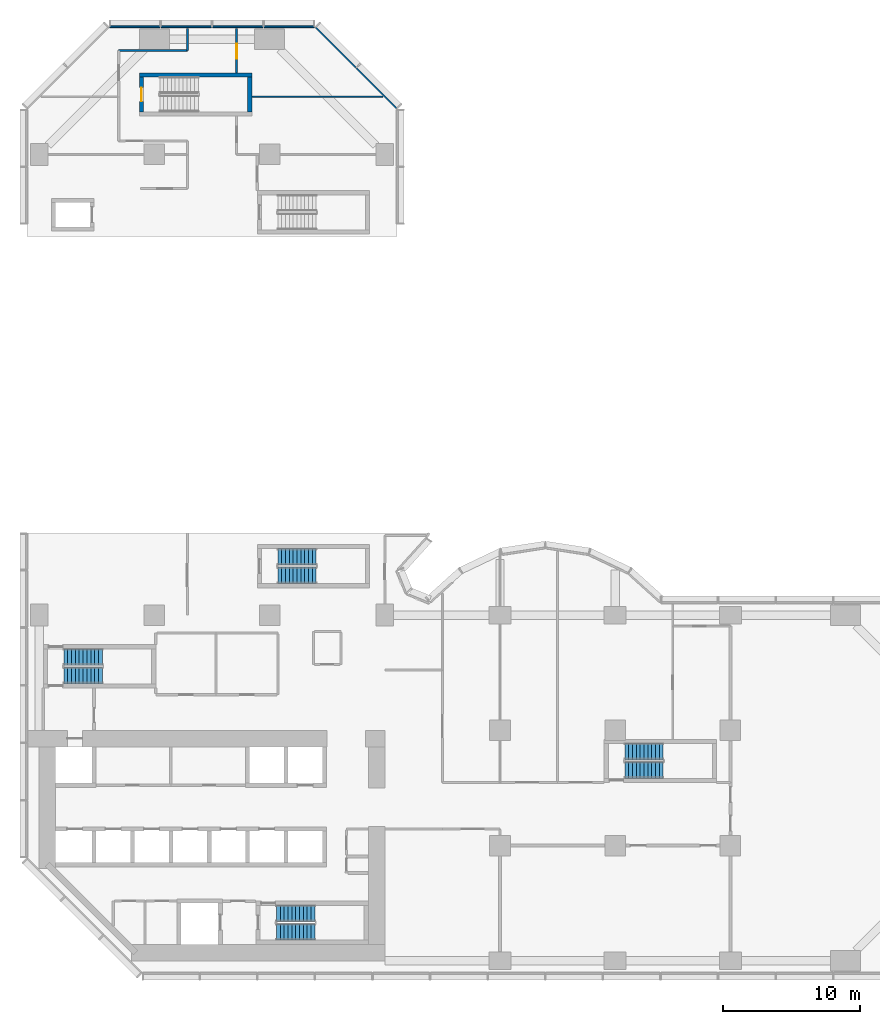
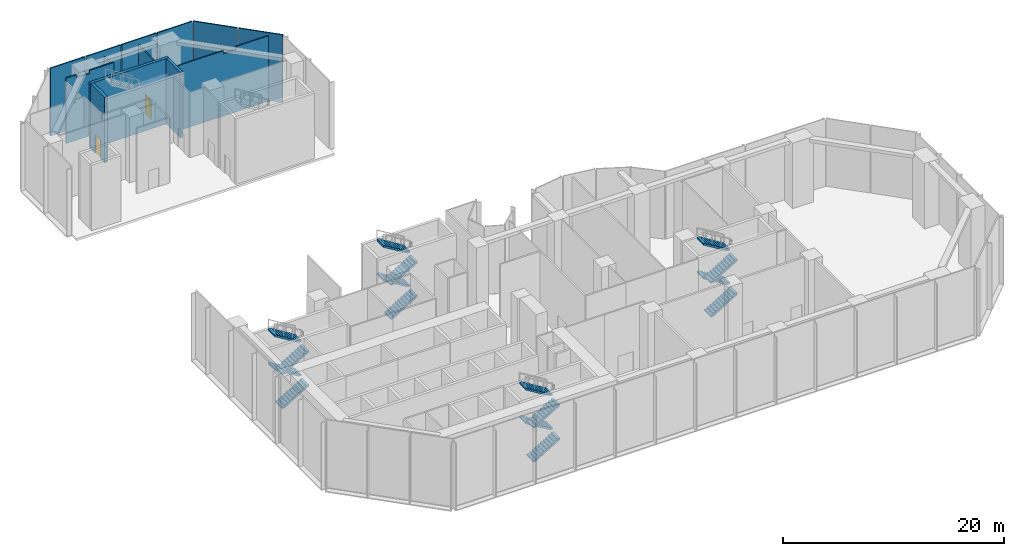
# One storey, part 12 of 16: 16 stair flights, 13 walls, 2 doors, 2 openings, 4 elements without a shape of their own.
"""IFC4 building model written with IfcOpenShell, lengths in metres."""

from ifc_helpers import new_model, si_unit, direction, frame, frame_2d, origin, place, context, subcontext, project, spatial, polyline, rectangle, outline, extrude, material, layer, layer_set, type_object, element, fill, aggregate, save


model = new_model("IFC4")

# Units and contexts
model_context = context("Model", 3, precision=1e-05, world=origin(), true_north=direction((0.0, 1.0)))
body_context = subcontext(model_context, "Body", "Model", "MODEL_VIEW")
ifc_project = project(units=[si_unit("LENGTHUNIT", "METRE"), si_unit("AREAUNIT", "SQUARE_METRE"), si_unit("VOLUMEUNIT", "CUBIC_METRE"), si_unit("PLANEANGLEUNIT", "RADIAN"), si_unit("MASSUNIT", "GRAM", prefix="KILO")], contexts=[model_context])

# Site, building, storey
site_placement = place(None, origin())
site = spatial("IfcSite", under=ifc_project, at=site_placement, CompositionType="ELEMENT")
building_placement = place(site_placement, origin())
building = spatial("IfcBuilding", under=site, at=building_placement, Name="Brevane Broadcast Tower", CompositionType="ELEMENT")
storey_placement = place(building_placement, frame((0.0, 0.0, 12.5)))
storey = spatial("IfcBuildingStorey", under=building, at=storey_placement, Name="L02", CompositionType="ELEMENT", Elevation=12.5)

# Wall
ifc_material_1 = material(Name="Concrete C80/95", Category="concrete")
ifc_layer_1 = layer(ifc_material_1, 0.300048828125)
ifc_layer_set_1 = layer_set([ifc_layer_1], Name="Core wall 300 mm C80/95")
wall_type_1 = type_object("IfcWallType", Name="Core wall 300 mm C80/95", PredefinedType="SHEAR", material=ifc_layer_set_1)
wall_1_placement = place(storey_placement, frame((7.300048828125, 64.60009765625, 0.0), z_axis=(0.0, 0.0, 1.0), x_axis=(1.0, 0.0, 0.0)))
element("IfcWall", 1, at=wall_1_placement, inside=storey, type_object=wall_type_1, Name="L02 stair wall ST-6-N", PredefinedType="SHEAR", context=body_context, shape_type="SweptSolid", body=[
    extrude(rectangle(XDim=8.199951171875, YDim=0.300048828125, at=frame_2d((4.10009765625, 0.0))), origin(), (0.0, 0.0, 1.0), 7.25),
])

# Wall, opening, door
wall_2_placement = place(storey_placement, frame((7.449951171875, 61.89990234375, 0.0), z_axis=(0.0, 0.0, 1.0), x_axis=(0.0, 1.0, 0.0)))
wall_2 = element("IfcWall", 2, at=wall_2_placement, inside=storey, type_object=wall_type_1, Name="L02 stair wall ST-6-W", PredefinedType="SHEAR", context=body_context, shape_type="SweptSolid", body=[
    extrude(rectangle(XDim=2.550048828125, YDim=0.300048828125, at=frame_2d((1.27490234375, 0.0))), origin(), (0.0, 0.0, 1.0), 7.25),
])
opening_1_placement = place(wall_2_placement, frame((0.77490234375, 0.0, 0.0)))
opening_1 = element("IfcOpeningElement", 3, at=opening_1_placement, cuts=wall_2, Name="Opening L02-K18", PredefinedType="OPENING", context=body_context, shape_type="SweptSolid", body=[
    extrude(rectangle(XDim=1.0, YDim=2.10009765625, at=frame_2d((0.5, 1.050048828125))), frame((0.0, 0.159912109375, 0.0), z_axis=(0.0, -1.0, 0.0), x_axis=(1.0, 0.0, 0.0)), (0.0, 0.0, 1.0), 0.320068359375),
])
ifc_material_2 = material(Name="Steel", Category="steel")
door_type_1 = type_object("IfcDoorType", Name="Stair door 1000 x 2100", OperationType="SINGLE_SWING_LEFT", PredefinedType="DOOR", material=ifc_material_2)
door_1_placement = place(opening_1_placement, origin())
door_1 = element("IfcDoor", 4, at=door_1_placement, inside=storey, type_object=door_type_1, Name="Door L02-K18", OperationType="SINGLE_SWING_RIGHT", OverallHeight=2.10009765625, OverallWidth=1.0, PredefinedType="DOOR", context=body_context, shape_type="SweptSolid", body=[
    extrude(rectangle(XDim=1.0, YDim=2.10009765625, at=frame_2d((0.5, 1.050048828125))), frame((0.0, 0.02490234375, 0.0), z_axis=(0.0, -1.0, 0.0), x_axis=(1.0, 0.0, 0.0)), (0.0, 0.0, 1.0), 0.050048828125),
])
fill(opening_1, door_1)

# Walls
wall_3_placement = place(storey_placement, frame((15.35009765625, 61.89990234375, 0.0), z_axis=(0.0, 0.0, 1.0), x_axis=(0.0, 1.0, 0.0)))
element("IfcWall", 5, at=wall_3_placement, inside=storey, type_object=wall_type_1, Name="L02 stair wall ST-6-E", PredefinedType="SHEAR", context=body_context, shape_type="SweptSolid", body=[
    extrude(rectangle(XDim=2.550048828125, YDim=0.300048828125, at=frame_2d((1.27490234375, 0.0))), origin(), (0.0, 0.0, 1.0), 7.25),
])
ifc_material_3 = material(Name="Gypsum board partition")
ifc_layer_2 = layer(ifc_material_3, 0.10009765625)
ifc_layer_set_2 = layer_set([ifc_layer_2], Name="PARTITION 100 STUD")
wall_type_2 = type_object("IfcWallType", Name="PARTITION 100 STUD", PredefinedType="PARTITIONING", material=ifc_layer_set_2)
wall_4_placement = place(storey_placement, frame((15.5, 63.0, 0.0), z_axis=(0.0, 0.0, 1.0), x_axis=(1.0, 0.0, 0.0)))
element("IfcWall", 6, at=wall_4_placement, inside=storey, type_object=wall_type_2, Name="Partition P2-044", PredefinedType="PARTITIONING", context=body_context, shape_type="SweptSolid", body=[
    extrude(outline(polyline([(0.0, 0.0), (9.5556640625, 0.0), (9.5556640625, 7.22998046875), (6.165771484375, 7.22998046875), (6.16357421875, 6.8798828125), (4.83642578125, 6.8798828125), (4.834228515625, 7.22998046875), (0.0, 7.22998046875), (0.0, 0.0)])), frame((0.0, 0.050048828125, 0.0), z_axis=(0.0, -1.0, 0.0), x_axis=(1.0, 0.0, 0.0)), (0.0, 0.0, 1.0), 0.10009765625),
])
ifc_layer_3 = layer(ifc_material_3, 0.14990234375)
ifc_layer_set_3 = layer_set([ifc_layer_3], Name="PARTITION 150 EI 60")
wall_type_3 = type_object("IfcWallType", Name="PARTITION 150 EI 60", PredefinedType="PARTITIONING", material=ifc_layer_set_3)
wall_5_placement = place(storey_placement, frame((5.800048828125, 66.375, 0.0), z_axis=(0.0, 0.0, 1.0), x_axis=(1.0, 0.0, 0.0)))
element("IfcWall", 7, at=wall_5_placement, inside=storey, type_object=wall_type_3, Name="Partition P2-034", PredefinedType="PARTITIONING", context=body_context, shape_type="SweptSolid", body=[
    extrude(outline(polyline([(0.0, 0.0), (5.0, 0.0), (5.0, 7.22998046875), (2.465576171875, 7.22998046875), (2.463623046875, 6.8798828125), (1.08642578125, 6.8798828125), (1.084228515625, 7.22998046875), (0.0, 7.22998046875), (0.0, 0.0)])), frame((0.0, 0.074951171875, 0.0), z_axis=(0.0, -1.0, 0.0), x_axis=(1.0, 0.0, 0.0)), (0.0, 0.0, 1.0), 0.14990234375),
])
wall_6_placement = place(storey_placement, frame((10.800048828125, 66.375, 0.0), z_axis=(0.0, 0.0, 1.0), x_axis=(0.0, 1.0, 0.0)))
element("IfcWall", 8, at=wall_6_placement, inside=storey, type_object=wall_type_3, Name="Partition P2-036", PredefinedType="PARTITIONING", context=body_context, shape_type="SweptSolid", body=[
    extrude(rectangle(XDim=1.597900390625, YDim=0.14990234375, at=frame_2d((0.798828125, 0.0))), origin(), (0.0, 0.0, 1.0), 6.8798828125),
])

# Wall, opening, door
wall_7_placement = place(storey_placement, frame((14.39990234375, 67.972900390625, 0.0), z_axis=(0.0, 0.0, 1.0), x_axis=(0.0, -1.0, 0.0)))
wall_7 = element("IfcWall", 9, at=wall_7_placement, inside=storey, type_object=wall_type_3, Name="Partition P2-037", PredefinedType="PARTITIONING", context=body_context, shape_type="SweptSolid", body=[
    extrude(rectangle(XDim=3.222900390625, YDim=0.14990234375, at=frame_2d((1.611328125, 0.0))), origin(), (0.0, 0.0, 1.0), 6.8798828125),
])
opening_2_placement = place(wall_7_placement, frame((1.093017578125, 0.0, 0.0)))
opening_2 = element("IfcOpeningElement", 10, at=opening_2_placement, cuts=wall_7, Name="Opening D03-016", PredefinedType="OPENING", context=body_context, shape_type="SweptSolid", body=[
    extrude(rectangle(XDim=1.10009765625, YDim=2.10009765625, at=frame_2d((0.550048828125, 1.050048828125))), frame((0.0, 0.0849609375, 0.0), z_axis=(0.0, -1.0, 0.0), x_axis=(1.0, 0.0, 0.0)), (0.0, 0.0, 1.0), 0.169921875),
])
ifc_material_4 = material(Name="Fire-rated timber door leaf", Category="wood")
door_type_2 = type_object("IfcDoorType", Name="DOOR SINGLE 1100 FD30S", OperationType="SINGLE_SWING_LEFT", PredefinedType="DOOR", material=ifc_material_4)
door_2_placement = place(opening_2_placement, origin())
door_2 = element("IfcDoor", 11, at=door_2_placement, inside=storey, type_object=door_type_2, Name="Door D03-016", OperationType="SINGLE_SWING_LEFT", OverallHeight=2.10009765625, OverallWidth=1.10009765625, PredefinedType="DOOR", context=body_context, shape_type="SweptSolid", body=[
    extrude(rectangle(XDim=1.10009765625, YDim=2.10009765625, at=frame_2d((0.550048828125, 1.050048828125))), frame((0.0, 0.02490234375, 0.0), z_axis=(0.0, -1.0, 0.0), x_axis=(1.0, 0.0, 0.0)), (0.0, 0.0, 1.0), 0.050048828125),
])
fill(opening_2, door_2)

# Walls
ifc_material_5 = material(Name="Precast concrete C40/50", Category="concrete")
ifc_layer_4 = layer(ifc_material_5, 0.1201171875)
ifc_layer_set_4 = layer_set([ifc_layer_4], Name="Podium precast cladding wall 120 C40/50")
wall_type_4 = type_object("IfcWallType", Name="Podium precast cladding wall 120 C40/50", PredefinedType="SOLIDWALL", material=ifc_layer_set_4)
wall_8_placement = place(storey_placement, origin())
element("IfcWall", 12, at=wall_8_placement, inside=storey, type_object=wall_type_4, Name="Podium precast cladding wall", PredefinedType="SOLIDWALL", context=body_context, shape_type="SweptSolid", body=[
    extrude(outline(polyline([(26.03271484375, 62.096435546875), (23.096435546875, 65.03271484375), (23.181396484375, 65.11767578125), (26.11767578125, 62.181396484375), (26.03271484375, 62.096435546875)])), origin(), (0.0, 0.0, 1.0), 7.5),
])
wall_9_placement = place(storey_placement, origin())
element("IfcWall", 13, at=wall_9_placement, inside=storey, type_object=wall_type_4, Name="Podium precast cladding wall", PredefinedType="SOLIDWALL", context=body_context, shape_type="SweptSolid", body=[
    extrude(outline(polyline([(23.03271484375, 65.096435546875), (20.096435546875, 68.03271484375), (20.181396484375, 68.11767578125), (23.11767578125, 65.181396484375), (23.03271484375, 65.096435546875)])), origin(), (0.0, 0.0, 1.0), 7.5),
])
wall_10_placement = place(storey_placement, origin())
element("IfcWall", 14, at=wall_10_placement, inside=storey, type_object=wall_type_4, Name="Podium precast cladding wall", PredefinedType="SOLIDWALL", context=body_context, shape_type="SweptSolid", body=[
    extrude(outline(polyline([(16.39501953125, 68.169921875), (16.39501953125, 68.050048828125), (20.054931640625, 68.050048828125), (20.054931640625, 68.169921875), (16.39501953125, 68.169921875)])), origin(), (0.0, 0.0, 1.0), 7.5),
])
wall_11_placement = place(storey_placement, origin())
element("IfcWall", 15, at=wall_11_placement, inside=storey, type_object=wall_type_4, Name="Podium precast cladding wall", PredefinedType="SOLIDWALL", context=body_context, shape_type="SweptSolid", body=[
    extrude(outline(polyline([(12.64501953125, 68.169921875), (12.64501953125, 68.050048828125), (16.304931640625, 68.050048828125), (16.304931640625, 68.169921875), (12.64501953125, 68.169921875)])), origin(), (0.0, 0.0, 1.0), 7.5),
])
wall_12_placement = place(storey_placement, origin())
element("IfcWall", 16, at=wall_12_placement, inside=storey, type_object=wall_type_4, Name="Podium precast cladding wall", PredefinedType="SOLIDWALL", context=body_context, shape_type="SweptSolid", body=[
    extrude(outline(polyline([(8.89501953125, 68.169921875), (8.89501953125, 68.050048828125), (12.554931640625, 68.050048828125), (12.554931640625, 68.169921875), (8.89501953125, 68.169921875)])), origin(), (0.0, 0.0, 1.0), 7.5),
])
wall_13_placement = place(storey_placement, origin())
element("IfcWall", 17, at=wall_13_placement, inside=storey, type_object=wall_type_4, Name="Podium precast cladding wall", PredefinedType="SOLIDWALL", context=body_context, shape_type="SweptSolid", body=[
    extrude(outline(polyline([(5.14501953125, 68.169921875), (5.14501953125, 68.050048828125), (8.804931640625, 68.050048828125), (8.804931640625, 68.169921875), (5.14501953125, 68.169921875)])), origin(), (0.0, 0.0, 1.0), 7.5),
])

# Stair, stair flights
ifc_material_6 = material(Name="Concrete C50/60", Category="concrete")
stair_type = type_object("IfcStairType", Name="Exit stair 44 risers", PredefinedType="HALF_TURN_STAIR", material=ifc_material_6)
stair_1_placement = place(storey_placement, origin())
stair_1 = element("IfcStair", 18, at=stair_1_placement, inside=storey, type_object=stair_type, Name="L02 Exit stair ST-1", PredefinedType="HALF_TURN_STAIR")
stair_flight_type = type_object("IfcStairFlightType", Name="Exit stair flight 44 risers", PredefinedType="STRAIGHT", material=ifc_material_6)
stair_flight_1_placement = place(storey_placement, frame((1.800048828125, 20.800048828125, 0.0), z_axis=(0.0, 0.0, 1.0), x_axis=(1.0, 0.0, 0.0)))
stair_flight_1 = element("IfcStairFlight", 19, at=stair_flight_1_placement, type_object=stair_flight_type, Name="ST-1 flight 1", NumberOfRisers=11, NumberOfTreads=10, PredefinedType="STRAIGHT", RiserHeight=0.170454545, TreadLength=0.28, context=body_context, shape_type="SweptSolid", body=[
    extrude(outline(polyline([(0.0, 0.0), (0.0, 0.17041015625), (0.280029296875, 0.17041015625), (0.280029296875, 0.3408203125), (0.56005859375, 0.3408203125), (0.56005859375, 0.511474609375), (0.840087890625, 0.511474609375), (0.840087890625, 0.681884765625), (1.1201171875, 0.681884765625), (1.1201171875, 0.852294921875), (1.39990234375, 0.852294921875), (1.39990234375, 1.022705078125), (1.679931640625, 1.022705078125), (1.679931640625, 1.193115234375), (1.9599609375, 1.193115234375), (1.9599609375, 1.363525390625), (2.239990234375, 1.363525390625), (2.239990234375, 1.5341796875), (2.52001953125, 1.5341796875), (2.52001953125, 1.70458984375), (2.800048828125, 1.70458984375), (2.800048828125, 1.875), (2.800048828125, 1.529052734375), (0.288330078125, 0.0), (0.0, 0.0)])), frame((0.0, 0.60009765625, 0.0), z_axis=(0.0, -1.0, 0.0), x_axis=(1.0, 0.0, 0.0)), (0.0, 0.0, 1.0), 1.199951171875),
])
stair_flight_2_placement = place(storey_placement, frame((4.60009765625, 22.14990234375, 1.875), z_axis=(0.0, 0.0, 1.0), x_axis=(-1.0, 0.0, 0.0)))
stair_flight_2 = element("IfcStairFlight", 20, at=stair_flight_2_placement, type_object=stair_flight_type, Name="ST-1 flight 2", NumberOfRisers=11, NumberOfTreads=10, PredefinedType="STRAIGHT", RiserHeight=0.170454545, TreadLength=0.28, context=body_context, shape_type="SweptSolid", body=[
    extrude(outline(polyline([(0.0, 0.0), (0.0, 0.17041015625), (0.280029296875, 0.17041015625), (0.280029296875, 0.3408203125), (0.56005859375, 0.3408203125), (0.56005859375, 0.511474609375), (0.840087890625, 0.511474609375), (0.840087890625, 0.681884765625), (1.1201171875, 0.681884765625), (1.1201171875, 0.852294921875), (1.39990234375, 0.852294921875), (1.39990234375, 1.022705078125), (1.679931640625, 1.022705078125), (1.679931640625, 1.193115234375), (1.9599609375, 1.193115234375), (1.9599609375, 1.363525390625), (2.239990234375, 1.363525390625), (2.239990234375, 1.5341796875), (2.52001953125, 1.5341796875), (2.52001953125, 1.70458984375), (2.800048828125, 1.70458984375), (2.800048828125, 1.875), (2.800048828125, 1.529052734375), (0.288330078125, 0.0), (0.0, 0.0)])), frame((0.0, 0.60009765625, 0.0), z_axis=(0.0, -1.0, 0.0), x_axis=(1.0, 0.0, 0.0)), (0.0, 0.0, 1.0), 1.199951171875),
])
stair_flight_3_placement = place(storey_placement, frame((1.800048828125, 20.800048828125, 3.75), z_axis=(0.0, 0.0, 1.0), x_axis=(1.0, 0.0, 0.0)))
stair_flight_3 = element("IfcStairFlight", 21, at=stair_flight_3_placement, type_object=stair_flight_type, Name="ST-1 flight 3", NumberOfRisers=11, NumberOfTreads=10, PredefinedType="STRAIGHT", RiserHeight=0.170454545, TreadLength=0.28, context=body_context, shape_type="SweptSolid", body=[
    extrude(outline(polyline([(0.0, 0.0), (0.0, 0.17041015625), (0.280029296875, 0.17041015625), (0.280029296875, 0.3408203125), (0.56005859375, 0.3408203125), (0.56005859375, 0.511474609375), (0.840087890625, 0.511474609375), (0.840087890625, 0.681884765625), (1.1201171875, 0.681884765625), (1.1201171875, 0.852294921875), (1.39990234375, 0.852294921875), (1.39990234375, 1.022705078125), (1.679931640625, 1.022705078125), (1.679931640625, 1.193115234375), (1.9599609375, 1.193115234375), (1.9599609375, 1.363525390625), (2.239990234375, 1.363525390625), (2.239990234375, 1.5341796875), (2.52001953125, 1.5341796875), (2.52001953125, 1.70458984375), (2.800048828125, 1.70458984375), (2.800048828125, 1.875), (2.800048828125, 1.529052734375), (0.288330078125, 0.0), (0.0, 0.0)])), frame((0.0, 0.60009765625, 0.0), z_axis=(0.0, -1.0, 0.0), x_axis=(1.0, 0.0, 0.0)), (0.0, 0.0, 1.0), 1.199951171875),
])
stair_flight_4_placement = place(storey_placement, frame((4.60009765625, 22.14990234375, 5.625), z_axis=(0.0, 0.0, 1.0), x_axis=(-1.0, 0.0, 0.0)))
stair_flight_4 = element("IfcStairFlight", 22, at=stair_flight_4_placement, type_object=stair_flight_type, Name="ST-1 flight 4", NumberOfRisers=11, NumberOfTreads=10, PredefinedType="STRAIGHT", RiserHeight=0.170454545, TreadLength=0.28, context=body_context, shape_type="SweptSolid", body=[
    extrude(outline(polyline([(0.0, 0.0), (0.0, 0.17041015625), (0.280029296875, 0.17041015625), (0.280029296875, 0.3408203125), (0.56005859375, 0.3408203125), (0.56005859375, 0.511474609375), (0.840087890625, 0.511474609375), (0.840087890625, 0.681884765625), (1.1201171875, 0.681884765625), (1.1201171875, 0.852294921875), (1.39990234375, 0.852294921875), (1.39990234375, 1.022705078125), (1.679931640625, 1.022705078125), (1.679931640625, 1.193115234375), (1.9599609375, 1.193115234375), (1.9599609375, 1.363525390625), (2.239990234375, 1.363525390625), (2.239990234375, 1.5341796875), (2.52001953125, 1.5341796875), (2.52001953125, 1.70458984375), (2.800048828125, 1.70458984375), (2.800048828125, 1.875), (2.800048828125, 1.529052734375), (0.288330078125, 0.0), (0.0, 0.0)])), frame((0.0, 0.60009765625, 0.0), z_axis=(0.0, -1.0, 0.0), x_axis=(1.0, 0.0, 0.0)), (0.0, 0.0, 1.0), 1.199951171875),
])
aggregate(stair_1, [stair_flight_1, stair_flight_2, stair_flight_3, stair_flight_4])

stair_2_placement = place(storey_placement, origin())
stair_2 = element("IfcStair", 23, at=stair_2_placement, inside=storey, type_object=stair_type, Name="L02 Exit stair ST-2", PredefinedType="HALF_TURN_STAIR")
stair_flight_5_placement = place(storey_placement, frame((17.300048828125, 2.10009765625, 0.0), z_axis=(0.0, 0.0, 1.0), x_axis=(1.0, 0.0, 0.0)))
stair_flight_5 = element("IfcStairFlight", 24, at=stair_flight_5_placement, type_object=stair_flight_type, Name="ST-2 flight 1", NumberOfRisers=11, NumberOfTreads=10, PredefinedType="STRAIGHT", RiserHeight=0.170454545, TreadLength=0.28, context=body_context, shape_type="SweptSolid", body=[
    extrude(outline(polyline([(0.0, 0.0), (0.0, 0.17041015625), (0.280029296875, 0.17041015625), (0.280029296875, 0.3408203125), (0.56005859375, 0.3408203125), (0.56005859375, 0.511474609375), (0.840087890625, 0.511474609375), (0.840087890625, 0.681884765625), (1.1201171875, 0.681884765625), (1.1201171875, 0.852294921875), (1.39990234375, 0.852294921875), (1.39990234375, 1.022705078125), (1.679931640625, 1.022705078125), (1.679931640625, 1.193115234375), (1.9599609375, 1.193115234375), (1.9599609375, 1.363525390625), (2.239990234375, 1.363525390625), (2.239990234375, 1.5341796875), (2.52001953125, 1.5341796875), (2.52001953125, 1.70458984375), (2.800048828125, 1.70458984375), (2.800048828125, 1.875), (2.800048828125, 1.529052734375), (0.288330078125, 0.0), (0.0, 0.0)])), frame((0.0, 0.60009765625, 0.0), z_axis=(0.0, -1.0, 0.0), x_axis=(1.0, 0.0, 0.0)), (0.0, 0.0, 1.0), 1.199951171875),
])
stair_flight_6_placement = place(storey_placement, frame((20.10009765625, 3.449951171875, 1.875), z_axis=(0.0, 0.0, 1.0), x_axis=(-1.0, 0.0, 0.0)))
stair_flight_6 = element("IfcStairFlight", 25, at=stair_flight_6_placement, type_object=stair_flight_type, Name="ST-2 flight 2", NumberOfRisers=11, NumberOfTreads=10, PredefinedType="STRAIGHT", RiserHeight=0.170454545, TreadLength=0.28, context=body_context, shape_type="SweptSolid", body=[
    extrude(outline(polyline([(0.0, 0.0), (0.0, 0.17041015625), (0.280029296875, 0.17041015625), (0.280029296875, 0.3408203125), (0.56005859375, 0.3408203125), (0.56005859375, 0.511474609375), (0.840087890625, 0.511474609375), (0.840087890625, 0.681884765625), (1.1201171875, 0.681884765625), (1.1201171875, 0.852294921875), (1.39990234375, 0.852294921875), (1.39990234375, 1.022705078125), (1.679931640625, 1.022705078125), (1.679931640625, 1.193115234375), (1.9599609375, 1.193115234375), (1.9599609375, 1.363525390625), (2.239990234375, 1.363525390625), (2.239990234375, 1.5341796875), (2.52001953125, 1.5341796875), (2.52001953125, 1.70458984375), (2.800048828125, 1.70458984375), (2.800048828125, 1.875), (2.800048828125, 1.529052734375), (0.288330078125, 0.0), (0.0, 0.0)])), frame((0.0, 0.60009765625, 0.0), z_axis=(0.0, -1.0, 0.0), x_axis=(1.0, 0.0, 0.0)), (0.0, 0.0, 1.0), 1.199951171875),
])
stair_flight_7_placement = place(storey_placement, frame((17.300048828125, 2.10009765625, 3.75), z_axis=(0.0, 0.0, 1.0), x_axis=(1.0, 0.0, 0.0)))
stair_flight_7 = element("IfcStairFlight", 26, at=stair_flight_7_placement, type_object=stair_flight_type, Name="ST-2 flight 3", NumberOfRisers=11, NumberOfTreads=10, PredefinedType="STRAIGHT", RiserHeight=0.170454545, TreadLength=0.28, context=body_context, shape_type="SweptSolid", body=[
    extrude(outline(polyline([(0.0, 0.0), (0.0, 0.17041015625), (0.280029296875, 0.17041015625), (0.280029296875, 0.3408203125), (0.56005859375, 0.3408203125), (0.56005859375, 0.511474609375), (0.840087890625, 0.511474609375), (0.840087890625, 0.681884765625), (1.1201171875, 0.681884765625), (1.1201171875, 0.852294921875), (1.39990234375, 0.852294921875), (1.39990234375, 1.022705078125), (1.679931640625, 1.022705078125), (1.679931640625, 1.193115234375), (1.9599609375, 1.193115234375), (1.9599609375, 1.363525390625), (2.239990234375, 1.363525390625), (2.239990234375, 1.5341796875), (2.52001953125, 1.5341796875), (2.52001953125, 1.70458984375), (2.800048828125, 1.70458984375), (2.800048828125, 1.875), (2.800048828125, 1.529052734375), (0.288330078125, 0.0), (0.0, 0.0)])), frame((0.0, 0.60009765625, 0.0), z_axis=(0.0, -1.0, 0.0), x_axis=(1.0, 0.0, 0.0)), (0.0, 0.0, 1.0), 1.199951171875),
])
stair_flight_8_placement = place(storey_placement, frame((20.10009765625, 3.449951171875, 5.625), z_axis=(0.0, 0.0, 1.0), x_axis=(-1.0, 0.0, 0.0)))
stair_flight_8 = element("IfcStairFlight", 27, at=stair_flight_8_placement, type_object=stair_flight_type, Name="ST-2 flight 4", NumberOfRisers=11, NumberOfTreads=10, PredefinedType="STRAIGHT", RiserHeight=0.170454545, TreadLength=0.28, context=body_context, shape_type="SweptSolid", body=[
    extrude(outline(polyline([(0.0, 0.0), (0.0, 0.17041015625), (0.280029296875, 0.17041015625), (0.280029296875, 0.3408203125), (0.56005859375, 0.3408203125), (0.56005859375, 0.511474609375), (0.840087890625, 0.511474609375), (0.840087890625, 0.681884765625), (1.1201171875, 0.681884765625), (1.1201171875, 0.852294921875), (1.39990234375, 0.852294921875), (1.39990234375, 1.022705078125), (1.679931640625, 1.022705078125), (1.679931640625, 1.193115234375), (1.9599609375, 1.193115234375), (1.9599609375, 1.363525390625), (2.239990234375, 1.363525390625), (2.239990234375, 1.5341796875), (2.52001953125, 1.5341796875), (2.52001953125, 1.70458984375), (2.800048828125, 1.70458984375), (2.800048828125, 1.875), (2.800048828125, 1.529052734375), (0.288330078125, 0.0), (0.0, 0.0)])), frame((0.0, 0.60009765625, 0.0), z_axis=(0.0, -1.0, 0.0), x_axis=(1.0, 0.0, 0.0)), (0.0, 0.0, 1.0), 1.199951171875),
])
aggregate(stair_2, [stair_flight_5, stair_flight_6, stair_flight_7, stair_flight_8])

stair_3_placement = place(storey_placement, origin())
stair_3 = element("IfcStair", 28, at=stair_3_placement, inside=storey, type_object=stair_type, Name="L02 Exit stair ST-3", PredefinedType="HALF_TURN_STAIR")
stair_flight_9_placement = place(storey_placement, frame((17.39990234375, 28.10009765625, 0.0), z_axis=(0.0, 0.0, 1.0), x_axis=(1.0, 0.0, 0.0)))
stair_flight_9 = element("IfcStairFlight", 29, at=stair_flight_9_placement, type_object=stair_flight_type, Name="ST-3 flight 1", NumberOfRisers=11, NumberOfTreads=10, PredefinedType="STRAIGHT", RiserHeight=0.170454545, TreadLength=0.28, context=body_context, shape_type="SweptSolid", body=[
    extrude(outline(polyline([(0.0, 0.0), (0.0, 0.17041015625), (0.280029296875, 0.17041015625), (0.280029296875, 0.3408203125), (0.56005859375, 0.3408203125), (0.56005859375, 0.511474609375), (0.840087890625, 0.511474609375), (0.840087890625, 0.681884765625), (1.1201171875, 0.681884765625), (1.1201171875, 0.852294921875), (1.39990234375, 0.852294921875), (1.39990234375, 1.022705078125), (1.679931640625, 1.022705078125), (1.679931640625, 1.193115234375), (1.9599609375, 1.193115234375), (1.9599609375, 1.363525390625), (2.239990234375, 1.363525390625), (2.239990234375, 1.5341796875), (2.52001953125, 1.5341796875), (2.52001953125, 1.70458984375), (2.800048828125, 1.70458984375), (2.800048828125, 1.875), (2.800048828125, 1.529052734375), (0.288330078125, 0.0), (0.0, 0.0)])), frame((0.0, 0.60009765625, 0.0), z_axis=(0.0, -1.0, 0.0), x_axis=(1.0, 0.0, 0.0)), (0.0, 0.0, 1.0), 1.199951171875),
])
stair_flight_10_placement = place(storey_placement, frame((20.199951171875, 29.449951171875, 1.875), z_axis=(0.0, 0.0, 1.0), x_axis=(-1.0, 0.0, 0.0)))
stair_flight_10 = element("IfcStairFlight", 30, at=stair_flight_10_placement, type_object=stair_flight_type, Name="ST-3 flight 2", NumberOfRisers=11, NumberOfTreads=10, PredefinedType="STRAIGHT", RiserHeight=0.170454545, TreadLength=0.28, context=body_context, shape_type="SweptSolid", body=[
    extrude(outline(polyline([(0.0, 0.0), (0.0, 0.17041015625), (0.280029296875, 0.17041015625), (0.280029296875, 0.3408203125), (0.56005859375, 0.3408203125), (0.56005859375, 0.511474609375), (0.840087890625, 0.511474609375), (0.840087890625, 0.681884765625), (1.1201171875, 0.681884765625), (1.1201171875, 0.852294921875), (1.39990234375, 0.852294921875), (1.39990234375, 1.022705078125), (1.679931640625, 1.022705078125), (1.679931640625, 1.193115234375), (1.9599609375, 1.193115234375), (1.9599609375, 1.363525390625), (2.239990234375, 1.363525390625), (2.239990234375, 1.5341796875), (2.52001953125, 1.5341796875), (2.52001953125, 1.70458984375), (2.800048828125, 1.70458984375), (2.800048828125, 1.875), (2.800048828125, 1.529052734375), (0.288330078125, 0.0), (0.0, 0.0)])), frame((0.0, 0.60009765625, 0.0), z_axis=(0.0, -1.0, 0.0), x_axis=(1.0, 0.0, 0.0)), (0.0, 0.0, 1.0), 1.199951171875),
])
stair_flight_11_placement = place(storey_placement, frame((17.39990234375, 28.10009765625, 3.75), z_axis=(0.0, 0.0, 1.0), x_axis=(1.0, 0.0, 0.0)))
stair_flight_11 = element("IfcStairFlight", 31, at=stair_flight_11_placement, type_object=stair_flight_type, Name="ST-3 flight 3", NumberOfRisers=11, NumberOfTreads=10, PredefinedType="STRAIGHT", RiserHeight=0.170454545, TreadLength=0.28, context=body_context, shape_type="SweptSolid", body=[
    extrude(outline(polyline([(0.0, 0.0), (0.0, 0.17041015625), (0.280029296875, 0.17041015625), (0.280029296875, 0.3408203125), (0.56005859375, 0.3408203125), (0.56005859375, 0.511474609375), (0.840087890625, 0.511474609375), (0.840087890625, 0.681884765625), (1.1201171875, 0.681884765625), (1.1201171875, 0.852294921875), (1.39990234375, 0.852294921875), (1.39990234375, 1.022705078125), (1.679931640625, 1.022705078125), (1.679931640625, 1.193115234375), (1.9599609375, 1.193115234375), (1.9599609375, 1.363525390625), (2.239990234375, 1.363525390625), (2.239990234375, 1.5341796875), (2.52001953125, 1.5341796875), (2.52001953125, 1.70458984375), (2.800048828125, 1.70458984375), (2.800048828125, 1.875), (2.800048828125, 1.529052734375), (0.288330078125, 0.0), (0.0, 0.0)])), frame((0.0, 0.60009765625, 0.0), z_axis=(0.0, -1.0, 0.0), x_axis=(1.0, 0.0, 0.0)), (0.0, 0.0, 1.0), 1.199951171875),
])
stair_flight_12_placement = place(storey_placement, frame((20.199951171875, 29.449951171875, 5.625), z_axis=(0.0, 0.0, 1.0), x_axis=(-1.0, 0.0, 0.0)))
stair_flight_12 = element("IfcStairFlight", 32, at=stair_flight_12_placement, type_object=stair_flight_type, Name="ST-3 flight 4", NumberOfRisers=11, NumberOfTreads=10, PredefinedType="STRAIGHT", RiserHeight=0.170454545, TreadLength=0.28, context=body_context, shape_type="SweptSolid", body=[
    extrude(outline(polyline([(0.0, 0.0), (0.0, 0.17041015625), (0.280029296875, 0.17041015625), (0.280029296875, 0.3408203125), (0.56005859375, 0.3408203125), (0.56005859375, 0.511474609375), (0.840087890625, 0.511474609375), (0.840087890625, 0.681884765625), (1.1201171875, 0.681884765625), (1.1201171875, 0.852294921875), (1.39990234375, 0.852294921875), (1.39990234375, 1.022705078125), (1.679931640625, 1.022705078125), (1.679931640625, 1.193115234375), (1.9599609375, 1.193115234375), (1.9599609375, 1.363525390625), (2.239990234375, 1.363525390625), (2.239990234375, 1.5341796875), (2.52001953125, 1.5341796875), (2.52001953125, 1.70458984375), (2.800048828125, 1.70458984375), (2.800048828125, 1.875), (2.800048828125, 1.529052734375), (0.288330078125, 0.0), (0.0, 0.0)])), frame((0.0, 0.60009765625, 0.0), z_axis=(0.0, -1.0, 0.0), x_axis=(1.0, 0.0, 0.0)), (0.0, 0.0, 1.0), 1.199951171875),
])
aggregate(stair_3, [stair_flight_9, stair_flight_10, stair_flight_11, stair_flight_12])

stair_4_placement = place(storey_placement, origin())
stair_4 = element("IfcStair", 33, at=stair_4_placement, inside=storey, type_object=stair_type, Name="L02 Exit stair ST-4", PredefinedType="HALF_TURN_STAIR")
stair_flight_13_placement = place(storey_placement, frame((42.699951171875, 13.89990234375, 0.0), z_axis=(0.0, 0.0, 1.0), x_axis=(1.0, 0.0, 0.0)))
stair_flight_13 = element("IfcStairFlight", 34, at=stair_flight_13_placement, type_object=stair_flight_type, Name="ST-4 flight 1", NumberOfRisers=11, NumberOfTreads=10, PredefinedType="STRAIGHT", RiserHeight=0.170454545, TreadLength=0.28, context=body_context, shape_type="SweptSolid", body=[
    extrude(outline(polyline([(0.0, 0.0), (0.0, 0.17041015625), (0.280029296875, 0.17041015625), (0.280029296875, 0.3408203125), (0.56005859375, 0.3408203125), (0.56005859375, 0.511474609375), (0.840087890625, 0.511474609375), (0.840087890625, 0.681884765625), (1.1201171875, 0.681884765625), (1.1201171875, 0.852294921875), (1.39990234375, 0.852294921875), (1.39990234375, 1.022705078125), (1.679931640625, 1.022705078125), (1.679931640625, 1.193115234375), (1.9599609375, 1.193115234375), (1.9599609375, 1.363525390625), (2.239990234375, 1.363525390625), (2.239990234375, 1.5341796875), (2.52001953125, 1.5341796875), (2.52001953125, 1.70458984375), (2.800048828125, 1.70458984375), (2.800048828125, 1.875), (2.800048828125, 1.529052734375), (0.288330078125, 0.0), (0.0, 0.0)])), frame((0.0, 0.60009765625, 0.0), z_axis=(0.0, -1.0, 0.0), x_axis=(1.0, 0.0, 0.0)), (0.0, 0.0, 1.0), 1.199951171875),
])
stair_flight_14_placement = place(storey_placement, frame((45.5, 15.25, 1.875), z_axis=(0.0, 0.0, 1.0), x_axis=(-1.0, 0.0, 0.0)))
stair_flight_14 = element("IfcStairFlight", 35, at=stair_flight_14_placement, type_object=stair_flight_type, Name="ST-4 flight 2", NumberOfRisers=11, NumberOfTreads=10, PredefinedType="STRAIGHT", RiserHeight=0.170454545, TreadLength=0.28, context=body_context, shape_type="SweptSolid", body=[
    extrude(outline(polyline([(0.0, 0.0), (0.0, 0.17041015625), (0.280029296875, 0.17041015625), (0.280029296875, 0.3408203125), (0.56005859375, 0.3408203125), (0.56005859375, 0.511474609375), (0.840087890625, 0.511474609375), (0.840087890625, 0.681884765625), (1.1201171875, 0.681884765625), (1.1201171875, 0.852294921875), (1.39990234375, 0.852294921875), (1.39990234375, 1.022705078125), (1.679931640625, 1.022705078125), (1.679931640625, 1.193115234375), (1.9599609375, 1.193115234375), (1.9599609375, 1.363525390625), (2.239990234375, 1.363525390625), (2.239990234375, 1.5341796875), (2.52001953125, 1.5341796875), (2.52001953125, 1.70458984375), (2.800048828125, 1.70458984375), (2.800048828125, 1.875), (2.800048828125, 1.529052734375), (0.288330078125, 0.0), (0.0, 0.0)])), frame((0.0, 0.60009765625, 0.0), z_axis=(0.0, -1.0, 0.0), x_axis=(1.0, 0.0, 0.0)), (0.0, 0.0, 1.0), 1.199951171875),
])
stair_flight_15_placement = place(storey_placement, frame((42.699951171875, 13.89990234375, 3.75), z_axis=(0.0, 0.0, 1.0), x_axis=(1.0, 0.0, 0.0)))
stair_flight_15 = element("IfcStairFlight", 36, at=stair_flight_15_placement, type_object=stair_flight_type, Name="ST-4 flight 3", NumberOfRisers=11, NumberOfTreads=10, PredefinedType="STRAIGHT", RiserHeight=0.170454545, TreadLength=0.28, context=body_context, shape_type="SweptSolid", body=[
    extrude(outline(polyline([(0.0, 0.0), (0.0, 0.17041015625), (0.280029296875, 0.17041015625), (0.280029296875, 0.3408203125), (0.56005859375, 0.3408203125), (0.56005859375, 0.511474609375), (0.840087890625, 0.511474609375), (0.840087890625, 0.681884765625), (1.1201171875, 0.681884765625), (1.1201171875, 0.852294921875), (1.39990234375, 0.852294921875), (1.39990234375, 1.022705078125), (1.679931640625, 1.022705078125), (1.679931640625, 1.193115234375), (1.9599609375, 1.193115234375), (1.9599609375, 1.363525390625), (2.239990234375, 1.363525390625), (2.239990234375, 1.5341796875), (2.52001953125, 1.5341796875), (2.52001953125, 1.70458984375), (2.800048828125, 1.70458984375), (2.800048828125, 1.875), (2.800048828125, 1.529052734375), (0.288330078125, 0.0), (0.0, 0.0)])), frame((0.0, 0.60009765625, 0.0), z_axis=(0.0, -1.0, 0.0), x_axis=(1.0, 0.0, 0.0)), (0.0, 0.0, 1.0), 1.199951171875),
])
stair_flight_16_placement = place(storey_placement, frame((45.5, 15.25, 5.625), z_axis=(0.0, 0.0, 1.0), x_axis=(-1.0, 0.0, 0.0)))
stair_flight_16 = element("IfcStairFlight", 37, at=stair_flight_16_placement, type_object=stair_flight_type, Name="ST-4 flight 4", NumberOfRisers=11, NumberOfTreads=10, PredefinedType="STRAIGHT", RiserHeight=0.170454545, TreadLength=0.28, context=body_context, shape_type="SweptSolid", body=[
    extrude(outline(polyline([(0.0, 0.0), (0.0, 0.17041015625), (0.280029296875, 0.17041015625), (0.280029296875, 0.3408203125), (0.56005859375, 0.3408203125), (0.56005859375, 0.511474609375), (0.840087890625, 0.511474609375), (0.840087890625, 0.681884765625), (1.1201171875, 0.681884765625), (1.1201171875, 0.852294921875), (1.39990234375, 0.852294921875), (1.39990234375, 1.022705078125), (1.679931640625, 1.022705078125), (1.679931640625, 1.193115234375), (1.9599609375, 1.193115234375), (1.9599609375, 1.363525390625), (2.239990234375, 1.363525390625), (2.239990234375, 1.5341796875), (2.52001953125, 1.5341796875), (2.52001953125, 1.70458984375), (2.800048828125, 1.70458984375), (2.800048828125, 1.875), (2.800048828125, 1.529052734375), (0.288330078125, 0.0), (0.0, 0.0)])), frame((0.0, 0.60009765625, 0.0), z_axis=(0.0, -1.0, 0.0), x_axis=(1.0, 0.0, 0.0)), (0.0, 0.0, 1.0), 1.199951171875),
])
aggregate(stair_4, [stair_flight_13, stair_flight_14, stair_flight_15, stair_flight_16])

save(model, "model.ifc")
